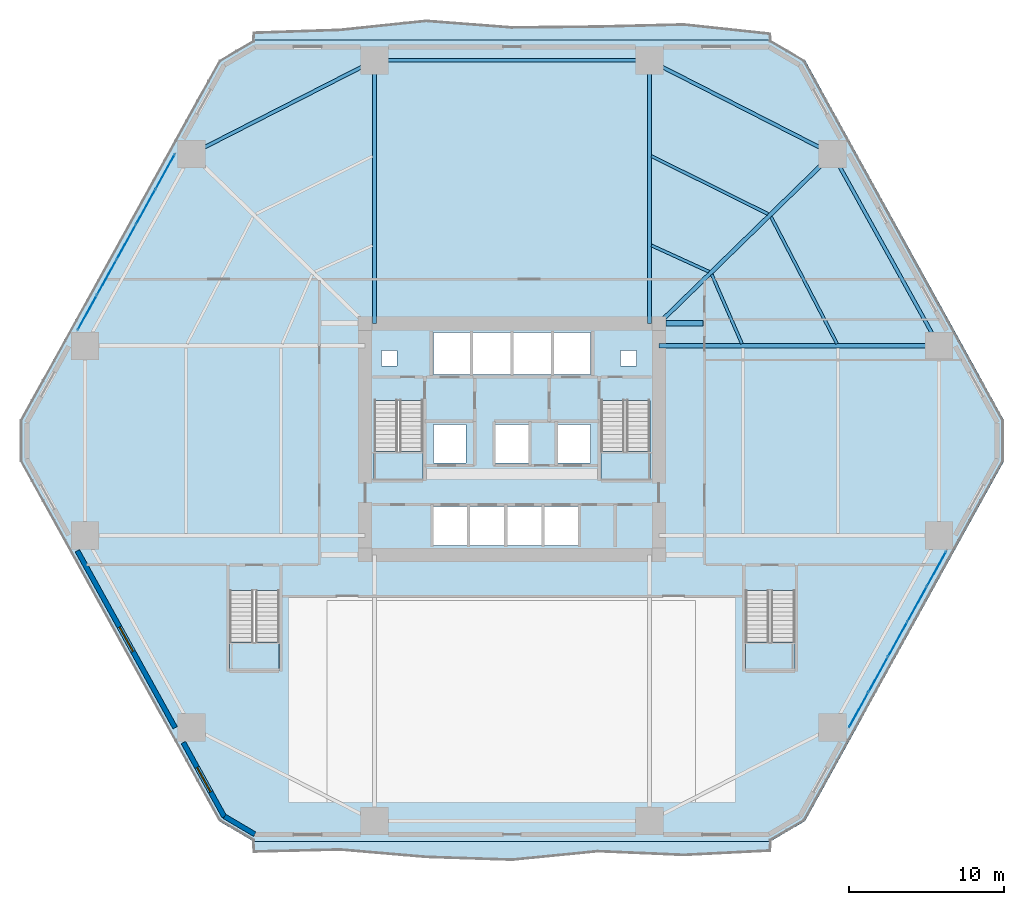
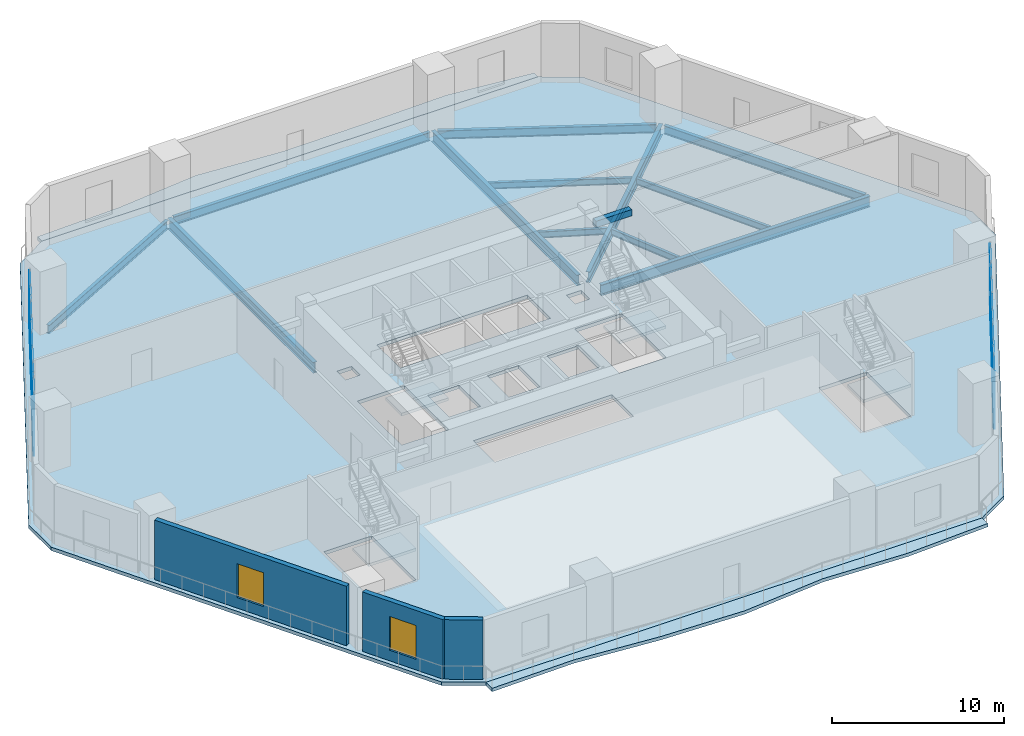
# One storey, part 8 of 18: 20 plates, 13 beams, 7 slabs, 3 walls, 2 windows, 2 openings, 6 elements without a shape of their own.
"""IFC4 building model written with IfcOpenShell, lengths in metres."""

from ifc_helpers import new_model, si_unit, direction, frame, frame_2d, origin, origin_2d, place, context, subcontext, project, spatial, polyline, rectangle, i_section, outline, extrude, material, layer, layer_set, material_profile, profile_set, type_object, element, fill, aggregate, save


model = new_model("IFC4")

# Units and contexts
model_context = context("Model", 3, precision=1e-05, world=origin(), true_north=direction((0.0, 1.0)))
body_context = subcontext(model_context, "Body", "Model", "MODEL_VIEW")
ifc_project = project(units=[si_unit("LENGTHUNIT", "METRE"), si_unit("AREAUNIT", "SQUARE_METRE"), si_unit("VOLUMEUNIT", "CUBIC_METRE"), si_unit("PLANEANGLEUNIT", "RADIAN"), si_unit("MASSUNIT", "GRAM", prefix="KILO")], contexts=[model_context])

# Site, building, storey
site_placement = place(None, origin())
site = spatial("IfcSite", under=ifc_project, at=site_placement, CompositionType="ELEMENT")
building_placement = place(site_placement, origin())
building = spatial("IfcBuilding", under=site, at=building_placement, Name="Cinnabar Lancet Tower", CompositionType="ELEMENT")
storey_placement = place(building_placement, frame((0.0, 0.0, 15.0)))
storey = spatial("IfcBuildingStorey", under=building, at=storey_placement, Name="L03", CompositionType="ELEMENT", Elevation=15.0)

# Beams
ifc_material_1 = material(Name="Structural steel S355", Category="steel")
ifc_material_profile_1 = material_profile(ifc_material_1, i_section(OverallWidth=0.1904296875, OverallDepth=0.45703125, WebThickness=0.009033203125, FlangeThickness=0.014404296875, FilletRadius=0.01025390625, at=origin_2d()), Name="UKB 457x191x74")
ifc_profile_set_1 = profile_set([ifc_material_profile_1], Name="Structural steel S355")
beam_type_1 = type_object("IfcBeamType", Name="STR-BM-JST-457", PredefinedType="JOIST", material=ifc_profile_set_1)
beam_1_placement = place(storey_placement, frame((53.326904296875, 32.041015625, -0.47900390625), z_axis=(-0.461626641841, 0.887074316809, 0.0), x_axis=(-0.887074316809, -0.461626641841, 0.0)))
element("IfcBeam", 1, at=beam_1_placement, inside=storey, type_object=beam_type_1, Name="L03 Secondary Floor Joist 3", PredefinedType="JOIST", context=body_context, shape_type="SweptSolid", body=[
    extrude(i_section(OverallWidth=0.1904296875, OverallDepth=0.45703125, WebThickness=0.009033203125, FlangeThickness=0.014404296875, FilletRadius=0.01025390625, at=origin_2d()), origin(), (0.0, 0.0, 1.0), 9.204345703125),
])
beam_2_placement = place(storey_placement, frame((47.2041015625, 32.041015625, -0.47900390625), z_axis=(-0.399496554125, 0.916734696214, 0.0), x_axis=(-0.916734696214, -0.399496554125, 0.0)))
element("IfcBeam", 2, at=beam_2_placement, inside=storey, type_object=beam_type_1, Name="L03 Secondary Floor Joist 4", PredefinedType="JOIST", context=body_context, shape_type="SweptSolid", body=[
    extrude(i_section(OverallWidth=0.1904296875, OverallDepth=0.45703125, WebThickness=0.009033203125, FlangeThickness=0.014404296875, FilletRadius=0.01025390625, at=origin_2d()), origin(), (0.0, 0.0, 1.0), 4.854248046875),
])
beam_3_placement = place(storey_placement, frame((48.886962890625, 40.39306640625, -0.47900390625), z_axis=(-0.895687488764, 0.444684070404, 0.0), x_axis=(-0.444684070404, -0.895687488764, 0.0)))
element("IfcBeam", 3, at=beam_3_placement, inside=storey, type_object=beam_type_1, Name="L03 Secondary Floor Joist 5", PredefinedType="JOIST", context=body_context, shape_type="SweptSolid", body=[
    extrude(i_section(OverallWidth=0.1904296875, OverallDepth=0.45703125, WebThickness=0.009033203125, FlangeThickness=0.014404296875, FilletRadius=0.01025390625, at=origin_2d()), origin(), (0.0, 0.0, 1.0), 8.383544921875),
])
beam_4_placement = place(storey_placement, frame((45.077880859375, 36.680908203125, -0.47900390625), z_axis=(-0.909792004986, 0.415064462057, 0.0), x_axis=(-0.415064462057, -0.909792004986, 0.0)))
element("IfcBeam", 4, at=beam_4_placement, inside=storey, type_object=beam_type_1, Name="L03 Secondary Floor Joist 6", PredefinedType="JOIST", context=body_context, shape_type="SweptSolid", body=[
    extrude(i_section(OverallWidth=0.1904296875, OverallDepth=0.45703125, WebThickness=0.009033203125, FlangeThickness=0.014404296875, FilletRadius=0.01025390625, at=origin_2d()), origin(), (0.0, 0.0, 1.0), 4.06689453125),
])
ifc_material_2 = material(Name="Concrete C45/55", Category="concrete")
ifc_material_profile_2 = material_profile(ifc_material_2, rectangle(XDim=0.35009765625, YDim=0.449951171875, at=origin_2d()), Name="RC-LNT 350x450")
ifc_profile_set_2 = profile_set([ifc_material_profile_2], Name="Concrete C45/55")
beam_type_2 = type_object("IfcBeamType", Name="STR-BM-LNT-450", PredefinedType="LINTEL", material=ifc_profile_set_2)
beam_5_placement = place(storey_placement, frame((42.300048828125, 33.35009765625, 3.050048828125), z_axis=(1.0, 0.0, 0.0), x_axis=(0.0, 1.0, 0.0)))
element("IfcBeam", 5, at=beam_5_placement, inside=storey, type_object=beam_type_2, Name="L03 Podium Gallery Arch Lintel NE", PredefinedType="LINTEL", context=body_context, shape_type="SweptSolid", body=[
    extrude(rectangle(XDim=0.35009765625, YDim=0.449951171875, at=origin_2d()), origin(), (0.0, 0.0, 1.0), 2.39990234375),
])
ifc_material_3 = material(Name="Structural steel S355", Category="steel")
ifc_material_profile_3 = material_profile(ifc_material_3, i_section(OverallWidth=0.228271484375, OverallDepth=0.607666015625, WebThickness=0.010986328125, FlangeThickness=0.017333984375, FilletRadius=0.0126953125, at=origin_2d()), Name="UKB 610x229x113")
ifc_profile_set_3 = profile_set([ifc_material_profile_3], Name="Structural steel S355")
beam_type_3 = type_object("IfcBeamType", Name="STR-BM-SPN-610", PredefinedType="SPANDREL", material=ifc_profile_set_3)
beam_6_placement = place(storey_placement, frame((59.77001953125, 32.126953125, -0.553955078125), z_axis=(-0.485037056876, 0.874493598294, 0.0), x_axis=(-0.874493598294, -0.485037056876, 0.0)))
element("IfcBeam", 6, at=beam_6_placement, inside=storey, type_object=beam_type_3, Name="L03 Perimeter Spandrel 5", PredefinedType="SPANDREL", context=body_context, shape_type="SweptSolid", body=[
    extrude(i_section(OverallWidth=0.228271484375, OverallDepth=0.607666015625, WebThickness=0.010986328125, FlangeThickness=0.017333984375, FilletRadius=0.0126953125, at=origin_2d()), origin(), (0.0, 0.0, 1.0), 13.619384765625),
])
beam_7_placement = place(storey_placement, frame((52.820068359375, 44.3701171875, -0.553955078125), z_axis=(-0.890540557794, 0.454903852396, 0.0), x_axis=(-0.454903852396, -0.890540557794, 0.0)))
element("IfcBeam", 7, at=beam_7_placement, inside=storey, type_object=beam_type_3, Name="L03 Perimeter Spandrel 6", PredefinedType="SPANDREL", context=body_context, shape_type="SweptSolid", body=[
    extrude(i_section(OverallWidth=0.228271484375, OverallDepth=0.607666015625, WebThickness=0.010986328125, FlangeThickness=0.017333984375, FilletRadius=0.0126953125, at=origin_2d()), origin(), (0.0, 0.0, 1.0), 12.747314453125),
])
beam_8_placement = place(storey_placement, frame((40.9951171875, 50.282958984375, -0.553955078125), z_axis=(-1.0, 0.0, 0.0), x_axis=(0.0, -1.0, 0.0)))
element("IfcBeam", 8, at=beam_8_placement, inside=storey, type_object=beam_type_3, Name="L03 Perimeter Spandrel 7", PredefinedType="SPANDREL", context=body_context, shape_type="SweptSolid", body=[
    extrude(i_section(OverallWidth=0.228271484375, OverallDepth=0.607666015625, WebThickness=0.010986328125, FlangeThickness=0.017333984375, FilletRadius=0.0126953125, at=origin_2d()), origin(), (0.0, 0.0, 1.0), 17.190185546875),
])
beam_9_placement = place(storey_placement, frame((23.33203125, 50.1689453125, -0.553955078125), z_axis=(-0.890540557794, -0.454903852396, 0.0), x_axis=(0.454903852396, -0.890540557794, 0.0)))
element("IfcBeam", 9, at=beam_9_placement, inside=storey, type_object=beam_type_3, Name="L03 Perimeter Spandrel 8", PredefinedType="SPANDREL", context=body_context, shape_type="SweptSolid", body=[
    extrude(i_section(OverallWidth=0.228271484375, OverallDepth=0.607666015625, WebThickness=0.010986328125, FlangeThickness=0.017333984375, FilletRadius=0.0126953125, at=origin_2d()), origin(), (0.0, 0.0, 1.0), 12.747314453125),
])
ifc_material_4 = material(Name="Structural steel S355", Category="steel")
ifc_material_profile_4 = material_profile(ifc_material_4, i_section(OverallWidth=0.2666015625, OverallDepth=0.76220703125, WebThickness=0.014404296875, FlangeThickness=0.021484375, FilletRadius=0.0166015625, at=origin_2d()), Name="UKB 762x267x173")
ifc_profile_set_4 = profile_set([ifc_material_profile_4], Name="Structural steel S355")
beam_type_4 = type_object("IfcBeamType", Name="STR-BM-UKB762-173", PredefinedType="BEAM", material=ifc_profile_set_4)
beam_10_placement = place(storey_placement, frame((53.04296875, 44.256103515625, -0.631103515625), z_axis=(-0.716225383515, -0.697869042163, 0.0), x_axis=(0.697869042163, -0.716225383515, 0.0)))
element("IfcBeam", 10, at=beam_10_placement, inside=storey, type_object=beam_type_4, Name="L03 Corner Collector Girder 3", PredefinedType="BEAM", context=body_context, shape_type="SweptSolid", body=[
    extrude(i_section(OverallWidth=0.2666015625, OverallDepth=0.76220703125, WebThickness=0.014404296875, FlangeThickness=0.021484375, FilletRadius=0.0166015625, at=origin_2d()), origin(), (0.0, 0.0, 1.0), 15.627685546875),
])
beam_11_placement = place(storey_placement, frame((59.89111328125, 31.907958984375, -0.631103515625), z_axis=(-1.0, 0.0, 0.0), x_axis=(0.0, -1.0, 0.0)))
element("IfcBeam", 11, at=beam_11_placement, inside=storey, type_object=beam_type_4, Name="L03 Primary Floor Girder 5", PredefinedType="BEAM", context=body_context, shape_type="SweptSolid", body=[
    extrude(i_section(OverallWidth=0.2666015625, OverallDepth=0.76220703125, WebThickness=0.014404296875, FlangeThickness=0.021484375, FilletRadius=0.0166015625, at=origin_2d()), origin(), (0.0, 0.0, 1.0), 18.041015625),
])
for number, where, z_axis, x_axis, name in (
    (12, (41.2451171875, 50.282958984375, -0.631103515625), (0.0, -1.0, 0.0), (1.0, 0.0, 0.0), "L03 Primary Floor Girder 7"),
    (13, (23.554931640625, 50.282958984375, -0.631103515625), (0.0, -1.0, 0.0), (1.0, 0.0, 0.0), "L03 Primary Floor Girder 8"),
):
    element("IfcBeam", number, at=place(storey_placement, frame(where, z_axis=z_axis, x_axis=x_axis)), inside=storey, type_object=beam_type_4, Name=name, PredefinedType="BEAM", context=body_context, shape_type="SweptSolid", body=[
        extrude(i_section(OverallWidth=0.2666015625, OverallDepth=0.76220703125, WebThickness=0.014404296875, FlangeThickness=0.021484375, FilletRadius=0.0166015625, at=origin_2d()), origin(), (0.0, 0.0, 1.0), 16.932861328125),
    ])

# Curtain wall, plates
ifc_material_5 = material(Name="Thermally broken bronze-anodized aluminium and low-E glass", Category="aluminium")
ifc_layer_1 = layer(ifc_material_5, 0.179931640625)
ifc_layer_set_1 = layer_set([ifc_layer_1], Name="Thermally broken bronze-anodized aluminium and low-E glass")
curtain_wall_type = type_object("IfcCurtainWallType", Name="ENV-CW-SYS-02", PredefinedType="NOTDEFINED", material=ifc_layer_set_1)
curtain_wall_1_placement = place(storey_placement, origin())
curtain_wall_1 = element("IfcCurtainWall", 14, at=curtain_wall_1_placement, inside=storey, type_object=curtain_wall_type, Name="L03 Face 2 Feature Curtain Wall", PredefinedType="NOTDEFINED")
ifc_material_6 = material(Name="Double-silver low-E laminated insulated glass unit", Category="glass")
ifc_layer_2 = layer(ifc_material_6, 0.031982421875)
ifc_layer_set_2 = layer_set([ifc_layer_2], Name="Double-silver low-E laminated insulated glass unit")
plate_type = type_object("IfcPlateType", Name="ENV-CW-PNL-32", PredefinedType="CURTAIN_PANEL", material=ifc_layer_set_2)
plate_1_placement = place(storey_placement, frame((54.72265625, 8.47216796875, 0.06005859375), z_axis=(0.0, 0.0, 1.0), x_axis=(0.48368456273, 0.875242391442, 0.0)))
plate_1 = element("IfcPlate", 15, at=plate_1_placement, type_object=plate_type, Name="CW-02 panel 1.1", PredefinedType="CURTAIN_PANEL", context=body_context, shape_type="SweptSolid", body=[
    extrude(rectangle(XDim=2.512939453125, YDim=0.028076171875, at=origin_2d()), origin(), (0.0, 0.0, 1.0), 2.10400390625),
])
plate_2_placement = place(storey_placement, frame((54.72265625, 8.47216796875, 2.223876953125), z_axis=(0.0, 0.0, 1.0), x_axis=(0.48368456273, 0.875242391442, 0.0)))
plate_2 = element("IfcPlate", 16, at=plate_2_placement, type_object=plate_type, Name="CW-02 panel 1.2", PredefinedType="CURTAIN_PANEL", context=body_context, shape_type="SweptSolid", body=[
    extrude(rectangle(XDim=2.512939453125, YDim=0.028076171875, at=origin_2d()), origin(), (0.0, 0.0, 1.0), 1.93603515625),
])
plate_3_placement = place(storey_placement, frame((55.974609375, 10.7373046875, 0.06005859375), z_axis=(0.0, 0.0, 1.0), x_axis=(0.48368456273, 0.875242391442, 0.0)))
plate_3 = element("IfcPlate", 17, at=plate_3_placement, type_object=plate_type, Name="CW-02 panel 2.1", PredefinedType="CURTAIN_PANEL", context=body_context, shape_type="SweptSolid", body=[
    extrude(rectangle(XDim=2.54296875, YDim=0.028076171875, at=origin_2d()), origin(), (0.0, 0.0, 1.0), 2.10400390625),
])
plate_4_placement = place(storey_placement, frame((55.974609375, 10.7373046875, 2.223876953125), z_axis=(0.0, 0.0, 1.0), x_axis=(0.48368456273, 0.875242391442, 0.0)))
plate_4 = element("IfcPlate", 18, at=plate_4_placement, type_object=plate_type, Name="CW-02 panel 2.2", PredefinedType="CURTAIN_PANEL", context=body_context, shape_type="SweptSolid", body=[
    extrude(rectangle(XDim=2.54296875, YDim=0.028076171875, at=origin_2d()), origin(), (0.0, 0.0, 1.0), 1.93603515625),
])
plate_5_placement = place(storey_placement, frame((57.2333984375, 13.015380859375, 0.06005859375), z_axis=(0.0, 0.0, 1.0), x_axis=(0.48368456273, 0.875242391442, 0.0)))
plate_5 = element("IfcPlate", 19, at=plate_5_placement, type_object=plate_type, Name="CW-02 panel 3.1", PredefinedType="CURTAIN_PANEL", context=body_context, shape_type="SweptSolid", body=[
    extrude(rectangle(XDim=2.54296875, YDim=0.028076171875, at=origin_2d()), origin(), (0.0, 0.0, 1.0), 2.10400390625),
])
plate_6_placement = place(storey_placement, frame((57.2333984375, 13.015380859375, 2.223876953125), z_axis=(0.0, 0.0, 1.0), x_axis=(0.48368456273, 0.875242391442, 0.0)))
plate_6 = element("IfcPlate", 20, at=plate_6_placement, type_object=plate_type, Name="CW-02 panel 3.2", PredefinedType="CURTAIN_PANEL", context=body_context, shape_type="SweptSolid", body=[
    extrude(rectangle(XDim=2.54296875, YDim=0.028076171875, at=origin_2d()), origin(), (0.0, 0.0, 1.0), 1.93603515625),
])
plate_7_placement = place(storey_placement, frame((58.492431640625, 15.293701171875, 0.06005859375), z_axis=(0.0, 0.0, 1.0), x_axis=(0.48368456273, 0.875242391442, 0.0)))
plate_7 = element("IfcPlate", 21, at=plate_7_placement, type_object=plate_type, Name="CW-02 panel 4.1", PredefinedType="CURTAIN_PANEL", context=body_context, shape_type="SweptSolid", body=[
    extrude(rectangle(XDim=2.54296875, YDim=0.028076171875, at=origin_2d()), origin(), (0.0, 0.0, 1.0), 2.10400390625),
])
plate_8_placement = place(storey_placement, frame((58.492431640625, 15.293701171875, 2.223876953125), z_axis=(0.0, 0.0, 1.0), x_axis=(0.48368456273, 0.875242391442, 0.0)))
plate_8 = element("IfcPlate", 22, at=plate_8_placement, type_object=plate_type, Name="CW-02 panel 4.2", PredefinedType="CURTAIN_PANEL", context=body_context, shape_type="SweptSolid", body=[
    extrude(rectangle(XDim=2.54296875, YDim=0.028076171875, at=origin_2d()), origin(), (0.0, 0.0, 1.0), 1.93603515625),
])
plate_9_placement = place(storey_placement, frame((59.744140625, 17.558837890625, 0.06005859375), z_axis=(0.0, 0.0, 1.0), x_axis=(0.48368456273, 0.875242391442, 0.0)))
plate_9 = element("IfcPlate", 23, at=plate_9_placement, type_object=plate_type, Name="CW-02 panel 5.1", PredefinedType="CURTAIN_PANEL", context=body_context, shape_type="SweptSolid", body=[
    extrude(rectangle(XDim=2.512939453125, YDim=0.028076171875, at=origin_2d()), origin(), (0.0, 0.0, 1.0), 2.10400390625),
])
plate_10_placement = place(storey_placement, frame((59.744140625, 17.558837890625, 2.223876953125), z_axis=(0.0, 0.0, 1.0), x_axis=(0.48368456273, 0.875242391442, 0.0)))
plate_10 = element("IfcPlate", 24, at=plate_10_placement, type_object=plate_type, Name="CW-02 panel 5.2", PredefinedType="CURTAIN_PANEL", context=body_context, shape_type="SweptSolid", body=[
    extrude(rectangle(XDim=2.512939453125, YDim=0.028076171875, at=origin_2d()), origin(), (0.0, 0.0, 1.0), 1.93603515625),
])
aggregate(curtain_wall_1, [plate_1, plate_2, plate_3, plate_4, plate_5, plate_6, plate_7, plate_8, plate_9, plate_10])

curtain_wall_2_placement = place(storey_placement, origin())
curtain_wall_2 = element("IfcCurtainWall", 25, at=curtain_wall_2_placement, inside=storey, type_object=curtain_wall_type, Name="L03 Face 5 Feature Curtain Wall", PredefinedType="NOTDEFINED")
plate_11_placement = place(storey_placement, frame((10.0771484375, 43.127685546875, 0.06005859375), z_axis=(0.0, 0.0, 1.0), x_axis=(-0.48368456273, -0.875242391442, 0.0)))
plate_11 = element("IfcPlate", 26, at=plate_11_placement, type_object=plate_type, Name="CW-02 panel 1.1", PredefinedType="CURTAIN_PANEL", context=body_context, shape_type="SweptSolid", body=[
    extrude(rectangle(XDim=2.512939453125, YDim=0.028076171875, at=origin_2d()), origin(), (0.0, 0.0, 1.0), 2.10400390625),
])
plate_12_placement = place(storey_placement, frame((10.0771484375, 43.127685546875, 2.223876953125), z_axis=(0.0, 0.0, 1.0), x_axis=(-0.48368456273, -0.875242391442, 0.0)))
plate_12 = element("IfcPlate", 27, at=plate_12_placement, type_object=plate_type, Name="CW-02 panel 1.2", PredefinedType="CURTAIN_PANEL", context=body_context, shape_type="SweptSolid", body=[
    extrude(rectangle(XDim=2.512939453125, YDim=0.028076171875, at=origin_2d()), origin(), (0.0, 0.0, 1.0), 1.93603515625),
])
plate_13_placement = place(storey_placement, frame((8.825439453125, 40.86279296875, 0.06005859375), z_axis=(0.0, 0.0, 1.0), x_axis=(-0.48368456273, -0.875242391442, 0.0)))
plate_13 = element("IfcPlate", 28, at=plate_13_placement, type_object=plate_type, Name="CW-02 panel 2.1", PredefinedType="CURTAIN_PANEL", context=body_context, shape_type="SweptSolid", body=[
    extrude(rectangle(XDim=2.54296875, YDim=0.028076171875, at=origin_2d()), origin(), (0.0, 0.0, 1.0), 2.10400390625),
])
plate_14_placement = place(storey_placement, frame((8.825439453125, 40.86279296875, 2.223876953125), z_axis=(0.0, 0.0, 1.0), x_axis=(-0.48368456273, -0.875242391442, 0.0)))
plate_14 = element("IfcPlate", 29, at=plate_14_placement, type_object=plate_type, Name="CW-02 panel 2.2", PredefinedType="CURTAIN_PANEL", context=body_context, shape_type="SweptSolid", body=[
    extrude(rectangle(XDim=2.54296875, YDim=0.028076171875, at=origin_2d()), origin(), (0.0, 0.0, 1.0), 1.93603515625),
])
plate_15_placement = place(storey_placement, frame((7.56640625, 38.58447265625, 0.06005859375), z_axis=(0.0, 0.0, 1.0), x_axis=(-0.48368456273, -0.875242391442, 0.0)))
plate_15 = element("IfcPlate", 30, at=plate_15_placement, type_object=plate_type, Name="CW-02 panel 3.1", PredefinedType="CURTAIN_PANEL", context=body_context, shape_type="SweptSolid", body=[
    extrude(rectangle(XDim=2.54296875, YDim=0.028076171875, at=origin_2d()), origin(), (0.0, 0.0, 1.0), 2.10400390625),
])
plate_16_placement = place(storey_placement, frame((7.56640625, 38.58447265625, 2.223876953125), z_axis=(0.0, 0.0, 1.0), x_axis=(-0.48368456273, -0.875242391442, 0.0)))
plate_16 = element("IfcPlate", 31, at=plate_16_placement, type_object=plate_type, Name="CW-02 panel 3.2", PredefinedType="CURTAIN_PANEL", context=body_context, shape_type="SweptSolid", body=[
    extrude(rectangle(XDim=2.54296875, YDim=0.028076171875, at=origin_2d()), origin(), (0.0, 0.0, 1.0), 1.93603515625),
])
plate_17_placement = place(storey_placement, frame((6.3076171875, 36.306396484375, 0.06005859375), z_axis=(0.0, 0.0, 1.0), x_axis=(-0.48368456273, -0.875242391442, 0.0)))
plate_17 = element("IfcPlate", 32, at=plate_17_placement, type_object=plate_type, Name="CW-02 panel 4.1", PredefinedType="CURTAIN_PANEL", context=body_context, shape_type="SweptSolid", body=[
    extrude(rectangle(XDim=2.54296875, YDim=0.028076171875, at=origin_2d()), origin(), (0.0, 0.0, 1.0), 2.10400390625),
])
plate_18_placement = place(storey_placement, frame((6.3076171875, 36.306396484375, 2.223876953125), z_axis=(0.0, 0.0, 1.0), x_axis=(-0.48368456273, -0.875242391442, 0.0)))
plate_18 = element("IfcPlate", 33, at=plate_18_placement, type_object=plate_type, Name="CW-02 panel 4.2", PredefinedType="CURTAIN_PANEL", context=body_context, shape_type="SweptSolid", body=[
    extrude(rectangle(XDim=2.54296875, YDim=0.028076171875, at=origin_2d()), origin(), (0.0, 0.0, 1.0), 1.93603515625),
])
plate_19_placement = place(storey_placement, frame((5.0556640625, 34.041259765625, 0.06005859375), z_axis=(0.0, 0.0, 1.0), x_axis=(-0.48368456273, -0.875242391442, 0.0)))
plate_19 = element("IfcPlate", 34, at=plate_19_placement, type_object=plate_type, Name="CW-02 panel 5.1", PredefinedType="CURTAIN_PANEL", context=body_context, shape_type="SweptSolid", body=[
    extrude(rectangle(XDim=2.512939453125, YDim=0.028076171875, at=origin_2d()), origin(), (0.0, 0.0, 1.0), 2.10400390625),
])
plate_20_placement = place(storey_placement, frame((5.0556640625, 34.041259765625, 2.223876953125), z_axis=(0.0, 0.0, 1.0), x_axis=(-0.48368456273, -0.875242391442, 0.0)))
plate_20 = element("IfcPlate", 35, at=plate_20_placement, type_object=plate_type, Name="CW-02 panel 5.2", PredefinedType="CURTAIN_PANEL", context=body_context, shape_type="SweptSolid", body=[
    extrude(rectangle(XDim=2.512939453125, YDim=0.028076171875, at=origin_2d()), origin(), (0.0, 0.0, 1.0), 1.93603515625),
])
aggregate(curtain_wall_2, [plate_11, plate_12, plate_13, plate_14, plate_15, plate_16, plate_17, plate_18, plate_19, plate_20])

# Stair, slab
ifc_material_7 = material(Name="Concrete C40/50", Category="concrete")
stair_type_1 = type_object("IfcStairType", Name="ST-CORE", PredefinedType="HALF_TURN_STAIR", material=ifc_material_7)
stair_1_placement = place(storey_placement, origin())
stair_1 = element("IfcStair", 36, at=stair_1_placement, inside=storey, type_object=stair_type_1, Name="L03 ST-1", PredefinedType="HALF_TURN_STAIR")
ifc_material_8 = material(Name="Concrete C40/50", Category="concrete")
ifc_layer_3 = layer(ifc_material_8, 0.199951171875)
ifc_layer_set_3 = layer_set([ifc_layer_3], Name="Concrete C40/50")
slab_type_1 = type_object("IfcSlabType", Name="LANDING-CORE", PredefinedType="LANDING", material=ifc_layer_set_3)
slab_1_placement = place(storey_placement, frame((0.0, 0.0, 2.050048828125)))
slab_1 = element("IfcSlab", 37, at=slab_1_placement, type_object=slab_type_1, Name="ST-1 landing 1", PredefinedType="LANDING", context=body_context, shape_type="SweptSolid", body=[
    extrude(outline(polyline([(23.52490234375, 25.10009765625), (23.52490234375, 23.25), (26.675048828125, 23.25), (26.675048828125, 25.10009765625), (23.52490234375, 25.10009765625)])), origin(), (0.0, 0.0, 1.0), 0.199951171875),
])
aggregate(stair_1, [slab_1])

stair_2_placement = place(storey_placement, origin())
stair_2 = element("IfcStair", 38, at=stair_2_placement, inside=storey, type_object=stair_type_1, Name="L03 ST-2", PredefinedType="HALF_TURN_STAIR")
slab_2_placement = place(storey_placement, frame((0.0, 0.0, 2.050048828125)))
slab_2 = element("IfcSlab", 39, at=slab_2_placement, type_object=slab_type_1, Name="ST-2 landing 1", PredefinedType="LANDING", context=body_context, shape_type="SweptSolid", body=[
    extrude(outline(polyline([(38.125, 25.10009765625), (38.125, 23.25), (41.27490234375, 23.25), (41.27490234375, 25.10009765625), (38.125, 25.10009765625)])), origin(), (0.0, 0.0, 1.0), 0.199951171875),
])
aggregate(stair_2, [slab_2])

ifc_material_9 = material(Name="Concrete C40/50", Category="concrete")
stair_type_2 = type_object("IfcStairType", Name="ST-POD", PredefinedType="HALF_TURN_STAIR", material=ifc_material_9)
stair_3_placement = place(storey_placement, origin())
stair_3 = element("IfcStair", 40, at=stair_3_placement, inside=storey, type_object=stair_type_2, Name="L03 ST-3", PredefinedType="HALF_TURN_STAIR")
ifc_material_10 = material(Name="Concrete C40/50", Category="concrete")
ifc_layer_4 = layer(ifc_material_10, 0.2099609375)
ifc_layer_set_4 = layer_set([ifc_layer_4], Name="Concrete C40/50")
slab_type_2 = type_object("IfcSlabType", Name="LANDING-POD", PredefinedType="LANDING", material=ifc_layer_set_4)
slab_3_placement = place(storey_placement, frame((0.0, 0.0, 2.050048828125)))
slab_3 = element("IfcSlab", 41, at=slab_3_placement, type_object=slab_type_2, Name="ST-3 landing 1", PredefinedType="LANDING", context=body_context, shape_type="SweptSolid", body=[
    extrude(outline(polyline([(14.22509765625, 12.85009765625), (14.22509765625, 11.0), (17.4150390625, 11.0), (17.4150390625, 12.85009765625), (14.22509765625, 12.85009765625)])), origin(), (0.0, 0.0, 1.0), 0.199951171875),
])
aggregate(stair_3, [slab_3])

stair_4_placement = place(storey_placement, origin())
stair_4 = element("IfcStair", 42, at=stair_4_placement, inside=storey, type_object=stair_type_2, Name="L03 ST-4", PredefinedType="HALF_TURN_STAIR")
slab_4_placement = place(storey_placement, frame((0.0, 0.0, 2.050048828125)))
slab_4 = element("IfcSlab", 43, at=slab_4_placement, type_object=slab_type_2, Name="ST-4 landing 1", PredefinedType="LANDING", context=body_context, shape_type="SweptSolid", body=[
    extrude(outline(polyline([(47.425048828125, 12.85009765625), (47.425048828125, 11.0), (50.614990234375, 11.0), (50.614990234375, 12.85009765625), (47.425048828125, 12.85009765625)])), origin(), (0.0, 0.0, 1.0), 0.199951171875),
])
aggregate(stair_4, [slab_4])

# Slabs
ifc_material_11 = material(Name="Concrete C40/50", Category="concrete")
ifc_layer_5 = layer(ifc_material_11, 0.25)
ifc_layer_set_5 = layer_set([ifc_layer_5], Name="Concrete C40/50")
slab_type_3 = type_object("IfcSlabType", Name="STR-SLB-FLR-250", PredefinedType="FLOOR", material=ifc_layer_set_5)
slab_5_placement = place(storey_placement, frame((0.0, 0.0, -0.25)))
element("IfcSlab", 44, at=slab_5_placement, inside=storey, type_object=slab_type_3, Name="L03 Structural Floor Slab", PredefinedType="FLOOR", context=body_context, shape_type="SweptSolid", body=[
    extrude(outline(polyline([(13.531005859375, 1.31298828125), (15.756103515625, 0.0), (49.0439453125, 0.0), (51.26904296875, 1.31298828125), (64.074951171875, 24.487060546875), (64.074951171875, 27.113037109375), (51.26904296875, 50.287109375), (49.0439453125, 51.60009765625), (15.756103515625, 51.60009765625), (13.531005859375, 50.287109375), (0.72509765625, 27.113037109375), (0.72509765625, 24.487060546875), (13.531005859375, 1.31298828125)]), holes=[polyline([(23.52490234375, 23.25), (26.675048828125, 23.25), (26.675048828125, 28.3994140625), (23.52490234375, 28.3994140625), (23.52490234375, 23.25)]), polyline([(38.125, 23.25), (41.27490234375, 23.25), (41.27490234375, 28.3994140625), (38.125, 28.3994140625), (38.125, 23.25)]), polyline([(14.22509765625, 11.0), (17.4150390625, 11.0), (17.4150390625, 16.1494140625), (14.22509765625, 16.1494140625), (14.22509765625, 11.0)]), polyline([(47.425048828125, 11.0), (50.614990234375, 11.0), (50.614990234375, 16.1494140625), (47.425048828125, 16.1494140625), (47.425048828125, 11.0)]), polyline([(27.35009765625, 30.050048828125), (37.449951171875, 30.050048828125), (37.449951171875, 32.75), (27.35009765625, 32.75), (27.35009765625, 30.050048828125)]), polyline([(27.35009765625, 19.050048828125), (36.64990234375, 19.050048828125), (36.64990234375, 21.550048828125), (27.35009765625, 21.550048828125), (27.35009765625, 19.050048828125)]), polyline([(27.35009765625, 24.35009765625), (29.449951171875, 24.35009765625), (29.449951171875, 26.85009765625), (27.35009765625, 26.85009765625), (27.35009765625, 24.35009765625)]), polyline([(35.35009765625, 24.35009765625), (37.449951171875, 24.35009765625), (37.449951171875, 26.85009765625), (35.35009765625, 26.85009765625), (35.35009765625, 24.35009765625)]), polyline([(31.35009765625, 24.35009765625), (33.449951171875, 24.35009765625), (33.449951171875, 26.85009765625), (31.35009765625, 26.85009765625), (31.35009765625, 24.35009765625)]), polyline([(24.0, 30.60009765625), (25.0, 30.60009765625), (25.0, 31.60009765625), (24.0, 31.60009765625), (24.0, 30.60009765625)]), polyline([(39.39990234375, 30.60009765625), (40.39990234375, 30.60009765625), (40.39990234375, 31.60009765625), (39.39990234375, 31.60009765625), (39.39990234375, 30.60009765625)])]), origin(), (0.0, 0.0, 1.0), 0.25),
])
ifc_material_12 = material(Name="Concrete C45/55", Category="concrete")
ifc_layer_6 = layer(ifc_material_12, 0.239990234375)
ifc_layer_set_6 = layer_set([ifc_layer_6], Name="Concrete C45/55")
slab_type_4 = type_object("IfcSlabType", Name="STR-SLB-WAV-240", PredefinedType="FLOOR", material=ifc_layer_set_6)
slab_6_placement = place(storey_placement, frame((0.0, 0.0, -0.239990234375)))
element("IfcSlab", 45, at=slab_6_placement, inside=storey, type_object=slab_type_4, Name="L03 Face 1 Undulating Wave Balcony Slab", PredefinedType="FLOOR", context=body_context, shape_type="SweptSolid", body=[
    extrude(outline(polyline([(15.756103515625, 0.0), (15.756103515625, -0.719970703125), (21.303955078125, -0.594970703125), (26.85205078125, -1.072998046875), (32.39990234375, -1.2548828125), (37.947998046875, -0.7060546875), (43.49609375, -0.94091796875), (49.0439453125, -0.654052734375), (49.0439453125, 0.0), (15.756103515625, 0.0)])), origin(), (0.0, 0.0, 1.0), 0.239990234375),
])
slab_7_placement = place(storey_placement, frame((0.0, 0.0, -0.239990234375)))
element("IfcSlab", 46, at=slab_7_placement, inside=storey, type_object=slab_type_4, Name="L03 Face 4 Undulating Wave Balcony Slab", PredefinedType="FLOOR", context=body_context, shape_type="SweptSolid", body=[
    extrude(outline(polyline([(49.0439453125, 51.60009765625), (49.0439453125, 52.044921875), (43.49609375, 52.64697265625), (37.947998046875, 52.51708984375), (32.39990234375, 52.4619140625), (26.85205078125, 52.884033203125), (21.303955078125, 52.300048828125), (15.756103515625, 52.110107421875), (15.756103515625, 51.60009765625), (49.0439453125, 51.60009765625)])), origin(), (0.0, 0.0, 1.0), 0.239990234375),
])

# Wall
ifc_material_13 = material(Name="Warm buff clay brick", Category="masonry")
ifc_layer_7 = layer(ifc_material_13, 0.320068359375)
ifc_layer_set_7 = layer_set([ifc_layer_7], Name="Warm buff clay brick")
wall_type = type_object("IfcWallType", Name="ENV-WL-BRK-BUF-320", PredefinedType="STANDARD", material=ifc_layer_set_7)
wall_1_placement = place(storey_placement, frame((13.89697265625, 1.60791015625, 0.0), z_axis=(0.0, 0.0, 1.0), x_axis=(0.861181020205, -0.508298387209, 0.0)))
element("IfcWall", 47, at=wall_1_placement, inside=storey, type_object=wall_type, Name="L03 Chamfered Corner Brick Pier 1.1", PredefinedType="STANDARD", context=body_context, shape_type="SweptSolid", body=[
    extrude(rectangle(XDim=2.252685546875, YDim=0.320068359375, at=frame_2d((1.12646484375, 0.0))), origin(), (0.0, 0.0, 1.0), 4.219970703125),
])

# Wall, opening, window
wall_2_placement = place(storey_placement, frame((4.4189453125, 18.7109375, 0.0), z_axis=(0.0, 0.0, 1.0), x_axis=(0.483698591046, -0.875234638837, 0.0)))
wall_2 = element("IfcWall", 48, at=wall_2_placement, inside=storey, type_object=wall_type, Name="L03 Face 6 Masonry Bay Wall 2", PredefinedType="STANDARD", context=body_context, shape_type="SweptSolid", body=[
    extrude(rectangle(XDim=13.0146484375, YDim=0.320068359375, at=frame_2d((6.50732421875, 0.0))), origin(), (0.0, 0.0, 1.0), 4.219970703125),
])
opening_1_placement = place(wall_2_placement, frame((5.60693359375, 0.0, 0.75)))
opening_1 = element("IfcOpeningElement", 49, at=opening_1_placement, cuts=wall_2, Name="Opening WN-05", PredefinedType="OPENING", context=body_context, shape_type="SweptSolid", body=[
    extrude(rectangle(XDim=1.800048828125, YDim=2.39990234375, at=frame_2d((0.89990234375, 1.199951171875))), frame((0.0, 0.169921875, 0.0), z_axis=(0.0, -1.0, 0.0), x_axis=(1.0, 0.0, 0.0)), (0.0, 0.0, 1.0), 0.340087890625),
])
ifc_material_14 = material(Name="Thermally broken bronze-anodized aluminium podium lancet window", Category="aluminium")
window_type = type_object("IfcWindowType", Name="ENV-WN-POD-1800", PartitioningType="SINGLE_PANEL", PredefinedType="WINDOW", material=ifc_material_14)
window_1_placement = place(opening_1_placement, origin())
window_1 = element("IfcWindow", 50, at=window_1_placement, inside=storey, type_object=window_type, Name="L03 Face 6 Gothic Lancet Window 2", OverallHeight=2.39990234375, OverallWidth=1.800048828125, PartitioningType="SINGLE_PANEL", PredefinedType="WINDOW", context=body_context, shape_type="SweptSolid", body=[
    extrude(rectangle(XDim=1.800048828125, YDim=2.39990234375, at=frame_2d((0.89990234375, 1.199951171875))), frame((0.0, 0.030029296875, 0.0), z_axis=(0.0, -1.0, 0.0), x_axis=(1.0, 0.0, 0.0)), (0.0, 0.0, 1.0), 0.06005859375),
])
fill(opening_1, window_1)

wall_3_placement = place(storey_placement, frame((11.242919921875, 6.363037109375, 0.0), z_axis=(0.0, 0.0, 1.0), x_axis=(0.483675274773, -0.875247524174, 0.0)))
wall_3 = element("IfcWall", 51, at=wall_3_placement, inside=storey, type_object=wall_type, Name="L03 Face 6 Masonry Bay Wall 3", PredefinedType="STANDARD", context=body_context, shape_type="SweptSolid", body=[
    extrude(rectangle(XDim=5.449951171875, YDim=0.320068359375, at=frame_2d((2.72509765625, 0.0))), origin(), (0.0, 0.0, 1.0), 4.219970703125),
])
opening_2_placement = place(wall_3_placement, frame((1.824951171875, 0.0, 0.75)))
opening_2 = element("IfcOpeningElement", 52, at=opening_2_placement, cuts=wall_3, Name="Opening WN-05", PredefinedType="OPENING", context=body_context, shape_type="SweptSolid", body=[
    extrude(rectangle(XDim=1.800048828125, YDim=2.39990234375, at=frame_2d((0.89990234375, 1.199951171875))), frame((0.0, 0.169921875, 0.0), z_axis=(0.0, -1.0, 0.0), x_axis=(1.0, 0.0, 0.0)), (0.0, 0.0, 1.0), 0.340087890625),
])
window_2_placement = place(opening_2_placement, origin())
window_2 = element("IfcWindow", 53, at=window_2_placement, inside=storey, type_object=window_type, Name="L03 Face 6 Gothic Lancet Window 3", OverallHeight=2.39990234375, OverallWidth=1.800048828125, PartitioningType="SINGLE_PANEL", PredefinedType="WINDOW", context=body_context, shape_type="SweptSolid", body=[
    extrude(rectangle(XDim=1.800048828125, YDim=2.39990234375, at=frame_2d((0.89990234375, 1.199951171875))), frame((0.0, 0.030029296875, 0.0), z_axis=(0.0, -1.0, 0.0), x_axis=(1.0, 0.0, 0.0)), (0.0, 0.0, 1.0), 0.06005859375),
])
fill(opening_2, window_2)

save(model, "model.ifc")
